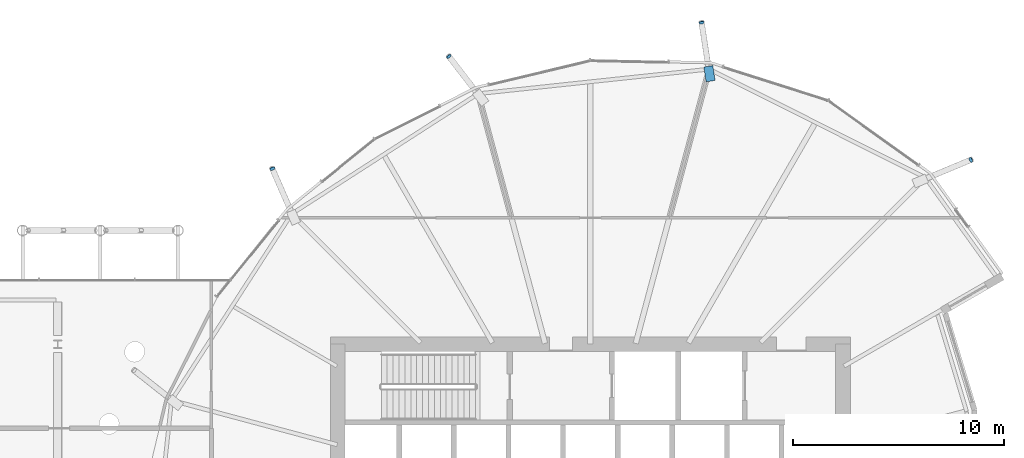
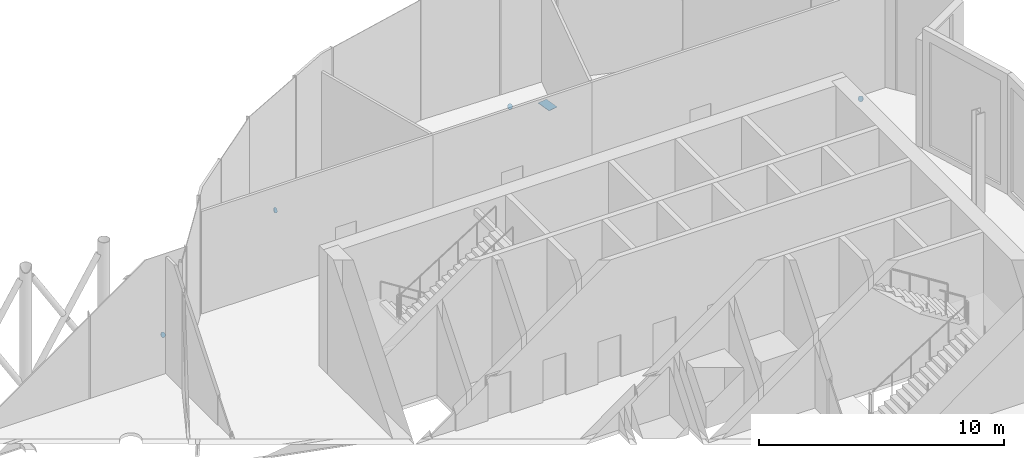
# One storey, part 32 of 38: 5 discrete accessories.
"""IFC4 building model written with IfcOpenShell, lengths in metres."""

from ifc_helpers import new_model, si_unit, direction, frame, origin, origin_2d, place, context, subcontext, project, spatial, polyline, rectangle, circle, outline, extrude, material, material_profile, profile_set, type_object, element, save


model = new_model("IFC4")

# Units and contexts
model_context = context("Model", 3, precision=1e-05, world=origin(), true_north=direction((0.0, 1.0)))
body_context = subcontext(model_context, "Body", "Model", "MODEL_VIEW")
ifc_project = project(units=[si_unit("LENGTHUNIT", "METRE"), si_unit("AREAUNIT", "SQUARE_METRE"), si_unit("VOLUMEUNIT", "CUBIC_METRE"), si_unit("PLANEANGLEUNIT", "RADIAN"), si_unit("MASSUNIT", "GRAM", prefix="KILO")], contexts=[model_context])

# Site, building, storey
site_placement = place(None, origin())
site = spatial("IfcSite", under=ifc_project, at=site_placement, CompositionType="ELEMENT")
building_placement = place(site_placement, origin())
building = spatial("IfcBuilding", under=site, at=building_placement, Name="Rimbun Link Towers", CompositionType="ELEMENT")
storey_placement = place(building_placement, frame((0.0, 0.0, 133.199951171875)))
storey = spatial("IfcBuildingStorey", under=building, at=storey_placement, Name="L32", CompositionType="ELEMENT", Elevation=133.199951171875)

# Discrete accessories
ifc_material_1 = material(Name="Steel S355J2H", Category="steel")
ifc_material_profile_1 = material_profile(ifc_material_1, circle(Radius=0.1240234375, at=origin_2d()), Name="PL D248")
ifc_profile_set_1 = profile_set([ifc_material_profile_1], Name="Steel S355J2H")
discrete_accessory_type_1 = type_object("IfcDiscreteAccessoryType", Name="Link foot sealing plate D248X20", PredefinedType="BRACKET", material=ifc_profile_set_1)
for number, where, z_axis, x_axis, name in (
    (1, (49.8154296875, 16.751220703125, -2.421875), (0.778349240576, 0.328366085868, -0.535115102896), (-0.388700505404, 0.921364160958, 0.0), "Link foot sealing plate T2 L32 00"),
    (2, (37.03369140625, 23.265869140625, -2.281494140625), (-0.133768883405, 0.863417338341, -0.486432303291), (-0.988210237284, -0.153102994509, 0.0), "Link foot sealing plate T2 L32 02"),
    (3, (25.033447265625, 21.663330078125, -2.282470703125), (-0.538672317562, 0.685582949624, -0.489702106874), (-0.786318338822, -0.617821551932, 0.0), "Link foot sealing plate T2 L32 04"),
):
    element("IfcDiscreteAccessory", number, at=place(storey_placement, frame(where, z_axis=z_axis, x_axis=x_axis)), inside=storey, type_object=discrete_accessory_type_1, Name=name, PredefinedType="BRACKET", context=body_context, shape_type="SweptSolid", body=[
        extrude(circle(Radius=0.1240234375, at=origin_2d()), origin(), (0.0, 0.0, 1.0), 0.02001953125),
    ])
discrete_accessory_1_placement = place(storey_placement, frame((16.64697265625, 16.327392578125, -2.329345703125), z_axis=(-0.332397392701, 0.763282901759, -0.553995654502), x_axis=(-0.916834798939, -0.39926676728, 0.0)))
element("IfcDiscreteAccessory", 4, at=discrete_accessory_1_placement, inside=storey, type_object=discrete_accessory_type_1, Name="Link foot sealing plate T2 L32 06", PredefinedType="BRACKET", context=body_context, shape_type="SweptSolid", body=[
    extrude(circle(Radius=0.1240234375, at=origin_2d()), origin(), (0.0, 0.0, 1.0), 0.019775390625),
])
ifc_material_2 = material(Name="Steel S355J2H", Category="steel")
ifc_material_profile_2 = material_profile(ifc_material_2, rectangle(XDim=0.43310546875, YDim=0.43310546875, at=origin_2d()), Name="PL 433x433")
ifc_profile_set_2 = profile_set([ifc_material_profile_2], Name="Steel S355J2H")
discrete_accessory_type_2 = type_object("IfcDiscreteAccessoryType", Name="Link head end plate 433X20", PredefinedType="BRACKET", material=ifc_profile_set_2)
discrete_accessory_2_placement = place(storey_placement, frame((0.0, 0.0, -0.883544921875)))
element("IfcDiscreteAccessory", 5, at=discrete_accessory_2_placement, inside=storey, type_object=discrete_accessory_type_2, Name="Link head end plate T2 L32 02", PredefinedType="BRACKET", context=body_context, shape_type="SweptSolid", body=[
    extrude(outline(polyline([(37.675048828125, 20.525146484375), (37.56689453125, 21.227783203125), (37.138916015625, 21.162109375), (37.2470703125, 20.459228515625), (37.675048828125, 20.525146484375)])), origin(), (0.0, 0.0, 1.0), 0.02001953125),
])

save(model, "model.ifc")
